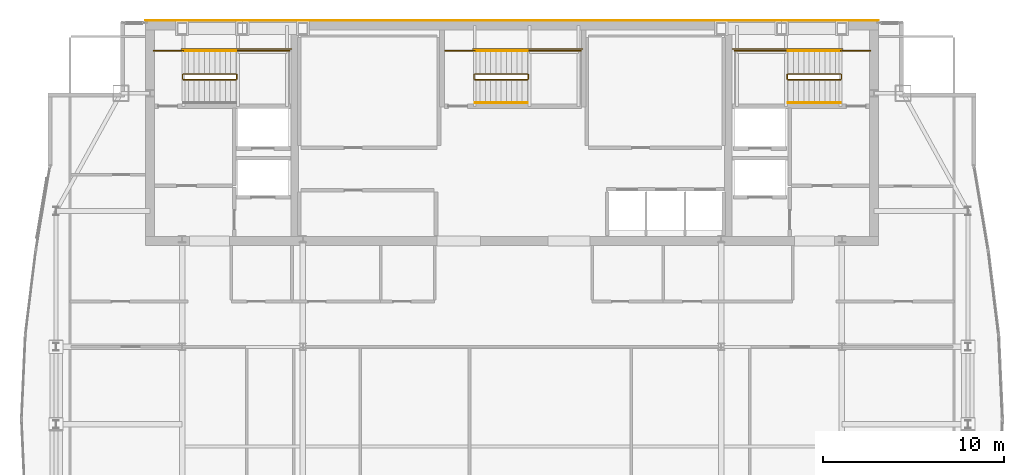
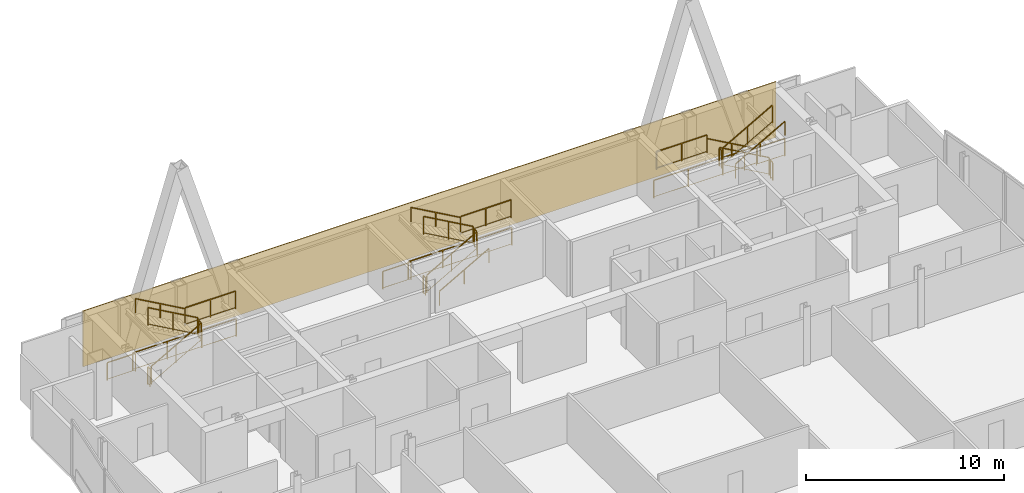
# One storey, part 29 of 29: 26 railings, 1 covering.
"""IFC4 building model written with IfcOpenShell, lengths in metres."""

from ifc_helpers import new_model, si_unit, direction, frame, origin, origin_2d, place, context, subcontext, project, spatial, polyline, rectangle, outline, extrude, material, layer, layer_set, type_object, element, save


model = new_model("IFC4")

# Units and contexts
model_context = context("Model", 3, precision=1e-05, world=origin(), true_north=direction((0.0, 1.0)))
body_context = subcontext(model_context, "Body", "Model", "MODEL_VIEW")
ifc_project = project(units=[si_unit("LENGTHUNIT", "METRE"), si_unit("AREAUNIT", "SQUARE_METRE"), si_unit("VOLUMEUNIT", "CUBIC_METRE"), si_unit("PLANEANGLEUNIT", "RADIAN"), si_unit("MASSUNIT", "GRAM", prefix="KILO")], contexts=[model_context])

# Site, building, storey
site_placement = place(None, origin())
site = spatial("IfcSite", under=ifc_project, at=site_placement, CompositionType="ELEMENT")
building_placement = place(site_placement, origin())
building = spatial("IfcBuilding", under=site, at=building_placement, Name="Khoronbel Lancet Exchange", CompositionType="ELEMENT")
storey_placement = place(building_placement, frame((0.0, 0.0, 336.199951171875)))
storey = spatial("IfcBuildingStorey", under=building, at=storey_placement, Name="L87", CompositionType="ELEMENT", Elevation=336.199951171875)

# Covering
ifc_material_1 = material(Name="Honed Egyptian Limestone & Bronze Rainscreen", Category="masonry")
ifc_layer = layer(ifc_material_1, 0.050048828125, Name="Honed Egyptian Limestone & Bronze Rainscreen")
ifc_layer_set = layer_set([ifc_layer], Name="Honed Egyptian Limestone & Bronze Rainscreen")
covering_type = type_object("IfcCoveringType", Name="COV-CLAD1", PredefinedType="CLADDING", material=ifc_layer_set)
covering_placement = place(storey_placement, origin())
element("IfcCovering", 1, at=covering_placement, inside=storey, type_object=covering_type, Name="Level L87 north rear-core stone and bronze rainscreen cladding", PredefinedType="CLADDING", context=body_context, shape_type="SweptSolid", body=[
    extrude(outline(polyline([(16.199951171875, 53.699951171875), (56.699951171875, 53.699951171875), (56.699951171875, 53.75), (16.199951171875, 53.75), (16.199951171875, 53.699951171875)])), origin(), (0.0, 0.0, 1.0), 3.43994140625),
])

# Railings
ifc_material_2 = material(Name="Painted Steel Balustrade", Category="steel")
railing_type_1 = type_object("IfcRailingType", Name="RL-STG110", PredefinedType="GUARDRAIL", material=ifc_material_2)
railing_1_placement = place(storey_placement, frame((18.300048828125, 50.449951171875, 0.16357421875)))
element("IfcRailing", 2, at=railing_1_placement, inside=storey, type_object=railing_type_1, Name="L87 ST1 stair guard 1", PredefinedType="GUARDRAIL", context=body_context, shape_type="SweptSolid", body=[
    extrude(rectangle(XDim=0.048095703125, YDim=0.048095703125, at=origin_2d()), frame((0.0, 0.0, 1.09619140625), z_axis=(0.870897200241, 0.0, 0.491465224214), x_axis=(0.0, 1.0, 0.0)), (0.0, 0.0, 1.0), 3.329833984375),
    extrude(rectangle(XDim=0.02392578125, YDim=0.02392578125, at=origin_2d()), frame((0.0, 0.0, 0.080078125), z_axis=(0.870897200241, 0.0, 0.491465224214), x_axis=(0.0, 1.0, 0.0)), (0.0, 0.0, 1.0), 3.329833984375),
    extrude(rectangle(XDim=0.0419921875, YDim=0.0419921875, at=origin_2d()), origin(), (0.0, 0.0, 1.0), 1.072021484375),
    extrude(rectangle(XDim=0.0419921875, YDim=0.0419921875, at=origin_2d()), frame((1.449951171875, 0.0, 0.818359375)), (0.0, 0.0, 1.0), 1.072021484375),
    extrude(rectangle(XDim=0.0419921875, YDim=0.0419921875, at=origin_2d()), frame((2.89990234375, 0.0, 1.636474609375)), (0.0, 0.0, 1.0), 1.072021484375),
])
railing_2_placement = place(storey_placement, frame((21.25, 50.5, 1.800048828125)))
element("IfcRailing", 3, at=railing_2_placement, inside=storey, type_object=railing_type_1, Name="L87 ST1 stair guard 2", PredefinedType="GUARDRAIL", context=body_context, shape_type="SweptSolid", body=[
    extrude(rectangle(XDim=0.048095703125, YDim=0.048095703125, at=origin_2d()), frame((0.0, 0.0, 1.09619140625), z_axis=(0.0, 1.0, 0.0), x_axis=(-1.0, 0.0, 0.0)), (0.0, 0.0, 1.0), 0.219970703125),
    extrude(rectangle(XDim=0.02392578125, YDim=0.02392578125, at=origin_2d()), frame((0.0, 0.0, 0.080078125), z_axis=(0.0, 1.0, 0.0), x_axis=(-1.0, 0.0, 0.0)), (0.0, 0.0, 1.0), 0.219970703125),
    extrude(rectangle(XDim=0.0419921875, YDim=0.0419921875, at=origin_2d()), origin(), (0.0, 0.0, 1.0), 1.072021484375),
    extrude(rectangle(XDim=0.0419921875, YDim=0.0419921875, at=origin_2d()), frame((0.0, 0.219970703125, 0.0)), (0.0, 0.0, 1.0), 1.072021484375),
])
railing_3_placement = place(storey_placement, frame((21.199951171875, 52.050048828125, 1.800048828125)))
element("IfcRailing", 4, at=railing_3_placement, inside=storey, type_object=railing_type_1, Name="L87 ST1 stair guard 3", PredefinedType="GUARDRAIL", context=body_context, shape_type="SweptSolid", body=[
    extrude(rectangle(XDim=0.048095703125, YDim=0.048095703125, at=origin_2d()), frame((0.0, 0.0, 1.09619140625), z_axis=(1.0, 0.0, 0.0), x_axis=(0.0, 1.0, 0.0)), (0.0, 0.0, 1.0), 2.949951171875),
    extrude(rectangle(XDim=0.02392578125, YDim=0.02392578125, at=origin_2d()), frame((0.0, 0.0, 0.080078125), z_axis=(1.0, 0.0, 0.0), x_axis=(0.0, 1.0, 0.0)), (0.0, 0.0, 1.0), 2.949951171875),
    extrude(rectangle(XDim=0.0419921875, YDim=0.0419921875, at=origin_2d()), origin(), (0.0, 0.0, 1.0), 1.072021484375),
    extrude(rectangle(XDim=0.0419921875, YDim=0.0419921875, at=origin_2d()), frame((1.47509765625, 0.0, 0.0)), (0.0, 0.0, 1.0), 1.072021484375),
    extrude(rectangle(XDim=0.0419921875, YDim=0.0419921875, at=origin_2d()), frame((2.949951171875, 0.0, 0.0)), (0.0, 0.0, 1.0), 1.072021484375),
])
railing_4_placement = place(storey_placement, frame((21.199951171875, 50.77001953125, 1.963623046875)))
element("IfcRailing", 5, at=railing_4_placement, inside=storey, type_object=railing_type_1, Name="L87 ST1 stair guard 4", PredefinedType="GUARDRAIL", context=body_context, shape_type="SweptSolid", body=[
    extrude(rectangle(XDim=0.048095703125, YDim=0.048095703125, at=origin_2d()), frame((0.0, 0.0, 1.09619140625), z_axis=(-0.870897200241, 0.0, 0.491465224214), x_axis=(0.0, -1.0, 0.0)), (0.0, 0.0, 1.0), 3.329833984375),
    extrude(rectangle(XDim=0.02392578125, YDim=0.02392578125, at=origin_2d()), frame((0.0, 0.0, 0.080078125), z_axis=(-0.870897200241, 0.0, 0.491465224214), x_axis=(0.0, -1.0, 0.0)), (0.0, 0.0, 1.0), 3.329833984375),
    extrude(rectangle(XDim=0.0419921875, YDim=0.0419921875, at=origin_2d()), origin(), (0.0, 0.0, 1.0), 1.072021484375),
    extrude(rectangle(XDim=0.0419921875, YDim=0.0419921875, at=origin_2d()), frame((-1.449951171875, 0.0, 0.818359375)), (0.0, 0.0, 1.0), 1.072021484375),
    extrude(rectangle(XDim=0.0419921875, YDim=0.0419921875, at=origin_2d()), frame((-2.89990234375, 0.0, 1.636474609375)), (0.0, 0.0, 1.0), 1.072021484375),
])
railing_5_placement = place(storey_placement, frame((18.25, 50.5, 0.0)))
element("IfcRailing", 6, at=railing_5_placement, inside=storey, type_object=railing_type_1, Name="L87 ST1 stair guard 5", PredefinedType="GUARDRAIL", context=body_context, shape_type="SweptSolid", body=[
    extrude(rectangle(XDim=0.048095703125, YDim=0.048095703125, at=origin_2d()), frame((0.0, 0.0, 1.09619140625), z_axis=(0.0, 1.0, 0.0), x_axis=(-1.0, 0.0, 0.0)), (0.0, 0.0, 1.0), 0.219970703125),
    extrude(rectangle(XDim=0.02392578125, YDim=0.02392578125, at=origin_2d()), frame((0.0, 0.0, 0.080078125), z_axis=(0.0, 1.0, 0.0), x_axis=(-1.0, 0.0, 0.0)), (0.0, 0.0, 1.0), 0.219970703125),
    extrude(rectangle(XDim=0.0419921875, YDim=0.0419921875, at=origin_2d()), origin(), (0.0, 0.0, 1.0), 1.072021484375),
    extrude(rectangle(XDim=0.0419921875, YDim=0.0419921875, at=origin_2d()), frame((0.0, 0.219970703125, 0.0)), (0.0, 0.0, 1.0), 1.072021484375),
])
railing_6_placement = place(storey_placement, frame((16.64990234375, 52.050048828125, 0.0)))
element("IfcRailing", 7, at=railing_6_placement, inside=storey, type_object=railing_type_1, Name="L87 ST1 stair guard 6", PredefinedType="GUARDRAIL", context=body_context, shape_type="SweptSolid", body=[
    extrude(rectangle(XDim=0.048095703125, YDim=0.048095703125, at=origin_2d()), frame((0.0, 0.0, 1.09619140625), z_axis=(1.0, 0.0, 0.0), x_axis=(0.0, 1.0, 0.0)), (0.0, 0.0, 1.0), 1.650146484375),
    extrude(rectangle(XDim=0.02392578125, YDim=0.02392578125, at=origin_2d()), frame((0.0, 0.0, 0.080078125), z_axis=(1.0, 0.0, 0.0), x_axis=(0.0, 1.0, 0.0)), (0.0, 0.0, 1.0), 1.650146484375),
    extrude(rectangle(XDim=0.0419921875, YDim=0.0419921875, at=origin_2d()), origin(), (0.0, 0.0, 1.0), 1.072021484375),
    extrude(rectangle(XDim=0.0419921875, YDim=0.0419921875, at=origin_2d()), frame((1.650146484375, 0.0, 0.0)), (0.0, 0.0, 1.0), 1.072021484375),
])
railing_7_placement = place(storey_placement, frame((18.199951171875, 52.14990234375, 0.0)))
element("IfcRailing", 8, at=railing_7_placement, inside=storey, type_object=railing_type_1, Name="L87 ST1 stair guard 7", PredefinedType="GUARDRAIL", context=body_context, shape_type="SweptSolid", body=[
    extrude(rectangle(XDim=0.048095703125, YDim=0.048095703125, at=origin_2d()), frame((0.0, 0.0, 1.09619140625), z_axis=(1.0, 0.0, 0.0), x_axis=(0.0, 1.0, 0.0)), (0.0, 0.0, 1.0), 6.050048828125),
    extrude(rectangle(XDim=0.02392578125, YDim=0.02392578125, at=origin_2d()), frame((0.0, 0.0, 0.080078125), z_axis=(1.0, 0.0, 0.0), x_axis=(0.0, 1.0, 0.0)), (0.0, 0.0, 1.0), 6.050048828125),
    extrude(rectangle(XDim=0.0419921875, YDim=0.0419921875, at=origin_2d()), origin(), (0.0, 0.0, 1.0), 1.072021484375),
    extrude(rectangle(XDim=0.0419921875, YDim=0.0419921875, at=origin_2d()), frame((2.0166015625, 0.0, 0.0)), (0.0, 0.0, 1.0), 1.072021484375),
    extrude(rectangle(XDim=0.0419921875, YDim=0.0419921875, at=origin_2d()), frame((4.033447265625, 0.0, 0.0)), (0.0, 0.0, 1.0), 1.072021484375),
    extrude(rectangle(XDim=0.0419921875, YDim=0.0419921875, at=origin_2d()), frame((6.050048828125, 0.0, 0.0)), (0.0, 0.0, 1.0), 1.072021484375),
])
railing_8_placement = place(storey_placement, frame((54.60009765625, 50.77001953125, 0.16357421875)))
element("IfcRailing", 9, at=railing_8_placement, inside=storey, type_object=railing_type_1, Name="L87 ST2 stair guard 1", PredefinedType="GUARDRAIL", context=body_context, shape_type="SweptSolid", body=[
    extrude(rectangle(XDim=0.048095703125, YDim=0.048095703125, at=origin_2d()), frame((0.0, 0.0, 1.09619140625), z_axis=(-0.870914908162, 0.0, 0.491433843708), x_axis=(0.0, -1.0, 0.0)), (0.0, 0.0, 1.0), 3.330078125),
    extrude(rectangle(XDim=0.02392578125, YDim=0.02392578125, at=origin_2d()), frame((0.0, 0.0, 0.080078125), z_axis=(-0.870914908162, 0.0, 0.491433843708), x_axis=(0.0, -1.0, 0.0)), (0.0, 0.0, 1.0), 3.330078125),
    extrude(rectangle(XDim=0.0419921875, YDim=0.0419921875, at=origin_2d()), origin(), (0.0, 0.0, 1.0), 1.072021484375),
    extrude(rectangle(XDim=0.0419921875, YDim=0.0419921875, at=origin_2d()), frame((-1.4501953125, 0.0, 0.818359375)), (0.0, 0.0, 1.0), 1.072021484375),
    extrude(rectangle(XDim=0.0419921875, YDim=0.0419921875, at=origin_2d()), frame((-2.900146484375, 0.0, 1.636474609375)), (0.0, 0.0, 1.0), 1.072021484375),
])
railing_9_placement = place(storey_placement, frame((51.64990234375, 50.719970703125, 1.800048828125)))
element("IfcRailing", 10, at=railing_9_placement, inside=storey, type_object=railing_type_1, Name="L87 ST2 stair guard 2", PredefinedType="GUARDRAIL", context=body_context, shape_type="SweptSolid", body=[
    extrude(rectangle(XDim=0.048095703125, YDim=0.048095703125, at=origin_2d()), frame((0.0, 0.0, 1.09619140625), z_axis=(0.0, -1.0, 0.0), x_axis=(1.0, 0.0, 0.0)), (0.0, 0.0, 1.0), 0.219970703125),
    extrude(rectangle(XDim=0.02392578125, YDim=0.02392578125, at=origin_2d()), frame((0.0, 0.0, 0.080078125), z_axis=(0.0, -1.0, 0.0), x_axis=(1.0, 0.0, 0.0)), (0.0, 0.0, 1.0), 0.219970703125),
    extrude(rectangle(XDim=0.0419921875, YDim=0.0419921875, at=origin_2d()), origin(), (0.0, 0.0, 1.0), 1.072021484375),
    extrude(rectangle(XDim=0.0419921875, YDim=0.0419921875, at=origin_2d()), frame((0.0, -0.219970703125, 0.0)), (0.0, 0.0, 1.0), 1.072021484375),
])
railing_10_placement = place(storey_placement, frame((51.699951171875, 52.050048828125, 1.800048828125)))
element("IfcRailing", 11, at=railing_10_placement, inside=storey, type_object=railing_type_1, Name="L87 ST2 stair guard 3", PredefinedType="GUARDRAIL", context=body_context, shape_type="SweptSolid", body=[
    extrude(rectangle(XDim=0.048095703125, YDim=0.048095703125, at=origin_2d()), frame((0.0, 0.0, 1.09619140625), z_axis=(-1.0, 0.0, 0.0), x_axis=(0.0, -1.0, 0.0)), (0.0, 0.0, 1.0), 2.949951171875),
    extrude(rectangle(XDim=0.02392578125, YDim=0.02392578125, at=origin_2d()), frame((0.0, 0.0, 0.080078125), z_axis=(-1.0, 0.0, 0.0), x_axis=(0.0, -1.0, 0.0)), (0.0, 0.0, 1.0), 2.949951171875),
    extrude(rectangle(XDim=0.0419921875, YDim=0.0419921875, at=origin_2d()), origin(), (0.0, 0.0, 1.0), 1.072021484375),
    extrude(rectangle(XDim=0.0419921875, YDim=0.0419921875, at=origin_2d()), frame((-1.47509765625, 0.0, 0.0)), (0.0, 0.0, 1.0), 1.072021484375),
    extrude(rectangle(XDim=0.0419921875, YDim=0.0419921875, at=origin_2d()), frame((-2.949951171875, 0.0, 0.0)), (0.0, 0.0, 1.0), 1.072021484375),
])
railing_11_placement = place(storey_placement, frame((51.699951171875, 50.449951171875, 1.963623046875)))
element("IfcRailing", 12, at=railing_11_placement, inside=storey, type_object=railing_type_1, Name="L87 ST2 stair guard 4", PredefinedType="GUARDRAIL", context=body_context, shape_type="SweptSolid", body=[
    extrude(rectangle(XDim=0.048095703125, YDim=0.048095703125, at=origin_2d()), frame((0.0, 0.0, 1.09619140625), z_axis=(0.870914908162, 0.0, 0.491433843708), x_axis=(0.0, 1.0, 0.0)), (0.0, 0.0, 1.0), 3.330078125),
    extrude(rectangle(XDim=0.02392578125, YDim=0.02392578125, at=origin_2d()), frame((0.0, 0.0, 0.080078125), z_axis=(0.870914908162, 0.0, 0.491433843708), x_axis=(0.0, 1.0, 0.0)), (0.0, 0.0, 1.0), 3.330078125),
    extrude(rectangle(XDim=0.0419921875, YDim=0.0419921875, at=origin_2d()), origin(), (0.0, 0.0, 1.0), 1.072021484375),
    extrude(rectangle(XDim=0.0419921875, YDim=0.0419921875, at=origin_2d()), frame((1.4501953125, 0.0, 0.818359375)), (0.0, 0.0, 1.0), 1.072021484375),
    extrude(rectangle(XDim=0.0419921875, YDim=0.0419921875, at=origin_2d()), frame((2.900146484375, 0.0, 1.636474609375)), (0.0, 0.0, 1.0), 1.072021484375),
])
railing_12_placement = place(storey_placement, frame((54.64990234375, 50.719970703125, 0.0)))
element("IfcRailing", 13, at=railing_12_placement, inside=storey, type_object=railing_type_1, Name="L87 ST2 stair guard 5", PredefinedType="GUARDRAIL", context=body_context, shape_type="SweptSolid", body=[
    extrude(rectangle(XDim=0.048095703125, YDim=0.048095703125, at=origin_2d()), frame((0.0, 0.0, 1.09619140625), z_axis=(0.0, -1.0, 0.0), x_axis=(1.0, 0.0, 0.0)), (0.0, 0.0, 1.0), 0.219970703125),
    extrude(rectangle(XDim=0.02392578125, YDim=0.02392578125, at=origin_2d()), frame((0.0, 0.0, 0.080078125), z_axis=(0.0, -1.0, 0.0), x_axis=(1.0, 0.0, 0.0)), (0.0, 0.0, 1.0), 0.219970703125),
    extrude(rectangle(XDim=0.0419921875, YDim=0.0419921875, at=origin_2d()), origin(), (0.0, 0.0, 1.0), 1.072021484375),
    extrude(rectangle(XDim=0.0419921875, YDim=0.0419921875, at=origin_2d()), frame((0.0, -0.219970703125, 0.0)), (0.0, 0.0, 1.0), 1.072021484375),
])
railing_13_placement = place(storey_placement, frame((56.25, 52.050048828125, 0.0)))
element("IfcRailing", 14, at=railing_13_placement, inside=storey, type_object=railing_type_1, Name="L87 ST2 stair guard 6", PredefinedType="GUARDRAIL", context=body_context, shape_type="SweptSolid", body=[
    extrude(rectangle(XDim=0.048095703125, YDim=0.048095703125, at=origin_2d()), frame((0.0, 0.0, 1.09619140625), z_axis=(-1.0, 0.0, 0.0), x_axis=(0.0, -1.0, 0.0)), (0.0, 0.0, 1.0), 1.64990234375),
    extrude(rectangle(XDim=0.02392578125, YDim=0.02392578125, at=origin_2d()), frame((0.0, 0.0, 0.080078125), z_axis=(-1.0, 0.0, 0.0), x_axis=(0.0, -1.0, 0.0)), (0.0, 0.0, 1.0), 1.64990234375),
    extrude(rectangle(XDim=0.0419921875, YDim=0.0419921875, at=origin_2d()), origin(), (0.0, 0.0, 1.0), 1.072021484375),
    extrude(rectangle(XDim=0.0419921875, YDim=0.0419921875, at=origin_2d()), frame((-1.64990234375, 0.0, 0.0)), (0.0, 0.0, 1.0), 1.072021484375),
])
railing_14_placement = place(storey_placement, frame((54.699951171875, 52.14990234375, 0.0)))
element("IfcRailing", 15, at=railing_14_placement, inside=storey, type_object=railing_type_1, Name="L87 ST2 stair guard 7", PredefinedType="GUARDRAIL", context=body_context, shape_type="SweptSolid", body=[
    extrude(rectangle(XDim=0.048095703125, YDim=0.048095703125, at=origin_2d()), frame((0.0, 0.0, 1.09619140625), z_axis=(-1.0, 0.0, 0.0), x_axis=(0.0, -1.0, 0.0)), (0.0, 0.0, 1.0), 6.050048828125),
    extrude(rectangle(XDim=0.02392578125, YDim=0.02392578125, at=origin_2d()), frame((0.0, 0.0, 0.080078125), z_axis=(-1.0, 0.0, 0.0), x_axis=(0.0, -1.0, 0.0)), (0.0, 0.0, 1.0), 6.050048828125),
    extrude(rectangle(XDim=0.0419921875, YDim=0.0419921875, at=origin_2d()), origin(), (0.0, 0.0, 1.0), 1.072021484375),
    extrude(rectangle(XDim=0.0419921875, YDim=0.0419921875, at=origin_2d()), frame((-2.0166015625, 0.0, 0.0)), (0.0, 0.0, 1.0), 1.072021484375),
    extrude(rectangle(XDim=0.0419921875, YDim=0.0419921875, at=origin_2d()), frame((-4.033447265625, 0.0, 0.0)), (0.0, 0.0, 1.0), 1.072021484375),
    extrude(rectangle(XDim=0.0419921875, YDim=0.0419921875, at=origin_2d()), frame((-6.050048828125, 0.0, 0.0)), (0.0, 0.0, 1.0), 1.072021484375),
])
railing_15_placement = place(storey_placement, frame((34.39990234375, 50.449951171875, 0.16357421875)))
element("IfcRailing", 16, at=railing_15_placement, inside=storey, type_object=railing_type_1, Name="L87 ST3 stair guard 1", PredefinedType="GUARDRAIL", context=body_context, shape_type="SweptSolid", body=[
    extrude(rectangle(XDim=0.048095703125, YDim=0.048095703125, at=origin_2d()), frame((0.0, 0.0, 1.09619140625), z_axis=(0.870914908162, 0.0, 0.491433843708), x_axis=(0.0, 1.0, 0.0)), (0.0, 0.0, 1.0), 3.330078125),
    extrude(rectangle(XDim=0.02392578125, YDim=0.02392578125, at=origin_2d()), frame((0.0, 0.0, 0.080078125), z_axis=(0.870914908162, 0.0, 0.491433843708), x_axis=(0.0, 1.0, 0.0)), (0.0, 0.0, 1.0), 3.330078125),
    extrude(rectangle(XDim=0.0419921875, YDim=0.0419921875, at=origin_2d()), origin(), (0.0, 0.0, 1.0), 1.072021484375),
    extrude(rectangle(XDim=0.0419921875, YDim=0.0419921875, at=origin_2d()), frame((1.4501953125, 0.0, 0.818359375)), (0.0, 0.0, 1.0), 1.072021484375),
    extrude(rectangle(XDim=0.0419921875, YDim=0.0419921875, at=origin_2d()), frame((2.900146484375, 0.0, 1.636474609375)), (0.0, 0.0, 1.0), 1.072021484375),
])
railing_16_placement = place(storey_placement, frame((37.35009765625, 50.5, 1.800048828125)))
element("IfcRailing", 17, at=railing_16_placement, inside=storey, type_object=railing_type_1, Name="L87 ST3 stair guard 2", PredefinedType="GUARDRAIL", context=body_context, shape_type="SweptSolid", body=[
    extrude(rectangle(XDim=0.048095703125, YDim=0.048095703125, at=origin_2d()), frame((0.0, 0.0, 1.09619140625), z_axis=(0.0, 1.0, 0.0), x_axis=(-1.0, 0.0, 0.0)), (0.0, 0.0, 1.0), 0.219970703125),
    extrude(rectangle(XDim=0.02392578125, YDim=0.02392578125, at=origin_2d()), frame((0.0, 0.0, 0.080078125), z_axis=(0.0, 1.0, 0.0), x_axis=(-1.0, 0.0, 0.0)), (0.0, 0.0, 1.0), 0.219970703125),
    extrude(rectangle(XDim=0.0419921875, YDim=0.0419921875, at=origin_2d()), origin(), (0.0, 0.0, 1.0), 1.072021484375),
    extrude(rectangle(XDim=0.0419921875, YDim=0.0419921875, at=origin_2d()), frame((0.0, 0.219970703125, 0.0)), (0.0, 0.0, 1.0), 1.072021484375),
])
railing_17_placement = place(storey_placement, frame((37.300048828125, 52.050048828125, 1.800048828125)))
element("IfcRailing", 18, at=railing_17_placement, inside=storey, type_object=railing_type_1, Name="L87 ST3 stair guard 3", PredefinedType="GUARDRAIL", context=body_context, shape_type="SweptSolid", body=[
    extrude(rectangle(XDim=0.048095703125, YDim=0.048095703125, at=origin_2d()), frame((0.0, 0.0, 1.09619140625), z_axis=(1.0, 0.0, 0.0), x_axis=(0.0, 1.0, 0.0)), (0.0, 0.0, 1.0), 2.949951171875),
    extrude(rectangle(XDim=0.02392578125, YDim=0.02392578125, at=origin_2d()), frame((0.0, 0.0, 0.080078125), z_axis=(1.0, 0.0, 0.0), x_axis=(0.0, 1.0, 0.0)), (0.0, 0.0, 1.0), 2.949951171875),
    extrude(rectangle(XDim=0.0419921875, YDim=0.0419921875, at=origin_2d()), origin(), (0.0, 0.0, 1.0), 1.072021484375),
    extrude(rectangle(XDim=0.0419921875, YDim=0.0419921875, at=origin_2d()), frame((1.47509765625, 0.0, 0.0)), (0.0, 0.0, 1.0), 1.072021484375),
    extrude(rectangle(XDim=0.0419921875, YDim=0.0419921875, at=origin_2d()), frame((2.949951171875, 0.0, 0.0)), (0.0, 0.0, 1.0), 1.072021484375),
])
railing_18_placement = place(storey_placement, frame((37.300048828125, 50.77001953125, 1.963623046875)))
element("IfcRailing", 19, at=railing_18_placement, inside=storey, type_object=railing_type_1, Name="L87 ST3 stair guard 4", PredefinedType="GUARDRAIL", context=body_context, shape_type="SweptSolid", body=[
    extrude(rectangle(XDim=0.048095703125, YDim=0.048095703125, at=origin_2d()), frame((0.0, 0.0, 1.09619140625), z_axis=(-0.870914908162, 0.0, 0.491433843708), x_axis=(0.0, -1.0, 0.0)), (0.0, 0.0, 1.0), 3.330078125),
    extrude(rectangle(XDim=0.02392578125, YDim=0.02392578125, at=origin_2d()), frame((0.0, 0.0, 0.080078125), z_axis=(-0.870914908162, 0.0, 0.491433843708), x_axis=(0.0, -1.0, 0.0)), (0.0, 0.0, 1.0), 3.330078125),
    extrude(rectangle(XDim=0.0419921875, YDim=0.0419921875, at=origin_2d()), origin(), (0.0, 0.0, 1.0), 1.072021484375),
    extrude(rectangle(XDim=0.0419921875, YDim=0.0419921875, at=origin_2d()), frame((-1.4501953125, 0.0, 0.818359375)), (0.0, 0.0, 1.0), 1.072021484375),
    extrude(rectangle(XDim=0.0419921875, YDim=0.0419921875, at=origin_2d()), frame((-2.900146484375, 0.0, 1.636474609375)), (0.0, 0.0, 1.0), 1.072021484375),
])
railing_19_placement = place(storey_placement, frame((34.35009765625, 50.5, 0.0)))
element("IfcRailing", 20, at=railing_19_placement, inside=storey, type_object=railing_type_1, Name="L87 ST3 stair guard 5", PredefinedType="GUARDRAIL", context=body_context, shape_type="SweptSolid", body=[
    extrude(rectangle(XDim=0.048095703125, YDim=0.048095703125, at=origin_2d()), frame((0.0, 0.0, 1.09619140625), z_axis=(0.0, 1.0, 0.0), x_axis=(-1.0, 0.0, 0.0)), (0.0, 0.0, 1.0), 0.219970703125),
    extrude(rectangle(XDim=0.02392578125, YDim=0.02392578125, at=origin_2d()), frame((0.0, 0.0, 0.080078125), z_axis=(0.0, 1.0, 0.0), x_axis=(-1.0, 0.0, 0.0)), (0.0, 0.0, 1.0), 0.219970703125),
    extrude(rectangle(XDim=0.0419921875, YDim=0.0419921875, at=origin_2d()), origin(), (0.0, 0.0, 1.0), 1.072021484375),
    extrude(rectangle(XDim=0.0419921875, YDim=0.0419921875, at=origin_2d()), frame((0.0, 0.219970703125, 0.0)), (0.0, 0.0, 1.0), 1.072021484375),
])
railing_20_placement = place(storey_placement, frame((32.75, 52.050048828125, 0.0)))
element("IfcRailing", 21, at=railing_20_placement, inside=storey, type_object=railing_type_1, Name="L87 ST3 stair guard 6", PredefinedType="GUARDRAIL", context=body_context, shape_type="SweptSolid", body=[
    extrude(rectangle(XDim=0.048095703125, YDim=0.048095703125, at=origin_2d()), frame((0.0, 0.0, 1.09619140625), z_axis=(1.0, 0.0, 0.0), x_axis=(0.0, 1.0, 0.0)), (0.0, 0.0, 1.0), 1.64990234375),
    extrude(rectangle(XDim=0.02392578125, YDim=0.02392578125, at=origin_2d()), frame((0.0, 0.0, 0.080078125), z_axis=(1.0, 0.0, 0.0), x_axis=(0.0, 1.0, 0.0)), (0.0, 0.0, 1.0), 1.64990234375),
    extrude(rectangle(XDim=0.0419921875, YDim=0.0419921875, at=origin_2d()), origin(), (0.0, 0.0, 1.0), 1.072021484375),
    extrude(rectangle(XDim=0.0419921875, YDim=0.0419921875, at=origin_2d()), frame((1.64990234375, 0.0, 0.0)), (0.0, 0.0, 1.0), 1.072021484375),
])
railing_21_placement = place(storey_placement, frame((34.300048828125, 52.14990234375, 0.0)))
element("IfcRailing", 22, at=railing_21_placement, inside=storey, type_object=railing_type_1, Name="L87 ST3 stair guard 7", PredefinedType="GUARDRAIL", context=body_context, shape_type="SweptSolid", body=[
    extrude(rectangle(XDim=0.048095703125, YDim=0.048095703125, at=origin_2d()), frame((0.0, 0.0, 1.09619140625), z_axis=(1.0, 0.0, 0.0), x_axis=(0.0, 1.0, 0.0)), (0.0, 0.0, 1.0), 6.050048828125),
    extrude(rectangle(XDim=0.02392578125, YDim=0.02392578125, at=origin_2d()), frame((0.0, 0.0, 0.080078125), z_axis=(1.0, 0.0, 0.0), x_axis=(0.0, 1.0, 0.0)), (0.0, 0.0, 1.0), 6.050048828125),
    extrude(rectangle(XDim=0.0419921875, YDim=0.0419921875, at=origin_2d()), origin(), (0.0, 0.0, 1.0), 1.072021484375),
    extrude(rectangle(XDim=0.0419921875, YDim=0.0419921875, at=origin_2d()), frame((2.0166015625, 0.0, 0.0)), (0.0, 0.0, 1.0), 1.072021484375),
    extrude(rectangle(XDim=0.0419921875, YDim=0.0419921875, at=origin_2d()), frame((4.033447265625, 0.0, 0.0)), (0.0, 0.0, 1.0), 1.072021484375),
    extrude(rectangle(XDim=0.0419921875, YDim=0.0419921875, at=origin_2d()), frame((6.050048828125, 0.0, 0.0)), (0.0, 0.0, 1.0), 1.072021484375),
])
ifc_material_3 = material(Name="Brushed Stainless Steel 316", Category="steel")
railing_type_2 = type_object("IfcRailingType", Name="RL-STH92", PredefinedType="HANDRAIL", material=ifc_material_3)
railing_22_placement = place(storey_placement, frame((21.199951171875, 52.050048828125, 1.963623046875)))
element("IfcRailing", 23, at=railing_22_placement, inside=storey, type_object=railing_type_2, Name="L87 ST1 stair handrail 2", PredefinedType="HANDRAIL", context=body_context, shape_type="SweptSolid", body=[
    extrude(rectangle(XDim=0.048095703125, YDim=0.048095703125, at=origin_2d()), frame((0.0, 0.0, 0.8759765625), z_axis=(-0.870897200241, 0.0, 0.491465224214), x_axis=(0.0, -1.0, 0.0)), (0.0, 0.0, 1.0), 3.329833984375),
    extrude(rectangle(XDim=0.0419921875, YDim=0.0419921875, at=origin_2d()), origin(), (0.0, 0.0, 1.0), 0.851806640625),
    extrude(rectangle(XDim=0.0419921875, YDim=0.0419921875, at=origin_2d()), frame((-1.449951171875, 0.0, 0.818359375)), (0.0, 0.0, 1.0), 0.851806640625),
    extrude(rectangle(XDim=0.0419921875, YDim=0.0419921875, at=origin_2d()), frame((-2.89990234375, 0.0, 1.636474609375)), (0.0, 0.0, 1.0), 0.851806640625),
])
railing_23_placement = place(storey_placement, frame((54.60009765625, 52.050048828125, 0.16357421875)))
element("IfcRailing", 24, at=railing_23_placement, inside=storey, type_object=railing_type_2, Name="L87 ST2 stair handrail 1", PredefinedType="HANDRAIL", context=body_context, shape_type="SweptSolid", body=[
    extrude(rectangle(XDim=0.048095703125, YDim=0.048095703125, at=origin_2d()), frame((0.0, 0.0, 0.8759765625), z_axis=(-0.870914908162, 0.0, 0.491433843708), x_axis=(0.0, -1.0, 0.0)), (0.0, 0.0, 1.0), 3.330078125),
    extrude(rectangle(XDim=0.0419921875, YDim=0.0419921875, at=origin_2d()), origin(), (0.0, 0.0, 1.0), 0.851806640625),
    extrude(rectangle(XDim=0.0419921875, YDim=0.0419921875, at=origin_2d()), frame((-1.4501953125, 0.0, 0.818359375)), (0.0, 0.0, 1.0), 0.851806640625),
    extrude(rectangle(XDim=0.0419921875, YDim=0.0419921875, at=origin_2d()), frame((-2.900146484375, 0.0, 1.636474609375)), (0.0, 0.0, 1.0), 0.851806640625),
])
for number, where, name in (
    (25, (51.699951171875, 49.169921875, 1.963623046875), "L87 ST2 stair handrail 2"),
    (26, (34.39990234375, 49.169921875, 0.16357421875), "L87 ST3 stair handrail 1"),
):
    element("IfcRailing", number, at=place(storey_placement, frame(where)), inside=storey, type_object=railing_type_2, Name=name, PredefinedType="HANDRAIL", context=body_context, shape_type="SweptSolid", body=[
        extrude(rectangle(XDim=0.048095703125, YDim=0.048095703125, at=origin_2d()), frame((0.0, 0.0, 0.8759765625), z_axis=(0.870914908162, 0.0, 0.491433843708), x_axis=(0.0, 1.0, 0.0)), (0.0, 0.0, 1.0), 3.330078125),
        extrude(rectangle(XDim=0.0419921875, YDim=0.0419921875, at=origin_2d()), origin(), (0.0, 0.0, 1.0), 0.851806640625),
        extrude(rectangle(XDim=0.0419921875, YDim=0.0419921875, at=origin_2d()), frame((1.4501953125, 0.0, 0.818359375)), (0.0, 0.0, 1.0), 0.851806640625),
        extrude(rectangle(XDim=0.0419921875, YDim=0.0419921875, at=origin_2d()), frame((2.900146484375, 0.0, 1.636474609375)), (0.0, 0.0, 1.0), 0.851806640625),
    ])
railing_24_placement = place(storey_placement, frame((37.300048828125, 52.050048828125, 1.963623046875)))
element("IfcRailing", 27, at=railing_24_placement, inside=storey, type_object=railing_type_2, Name="L87 ST3 stair handrail 2", PredefinedType="HANDRAIL", context=body_context, shape_type="SweptSolid", body=[
    extrude(rectangle(XDim=0.048095703125, YDim=0.048095703125, at=origin_2d()), frame((0.0, 0.0, 0.8759765625), z_axis=(-0.870914908162, 0.0, 0.491433843708), x_axis=(0.0, -1.0, 0.0)), (0.0, 0.0, 1.0), 3.330078125),
    extrude(rectangle(XDim=0.0419921875, YDim=0.0419921875, at=origin_2d()), origin(), (0.0, 0.0, 1.0), 0.851806640625),
    extrude(rectangle(XDim=0.0419921875, YDim=0.0419921875, at=origin_2d()), frame((-1.4501953125, 0.0, 0.818359375)), (0.0, 0.0, 1.0), 0.851806640625),
    extrude(rectangle(XDim=0.0419921875, YDim=0.0419921875, at=origin_2d()), frame((-2.900146484375, 0.0, 1.636474609375)), (0.0, 0.0, 1.0), 0.851806640625),
])

save(model, "model.ifc")
